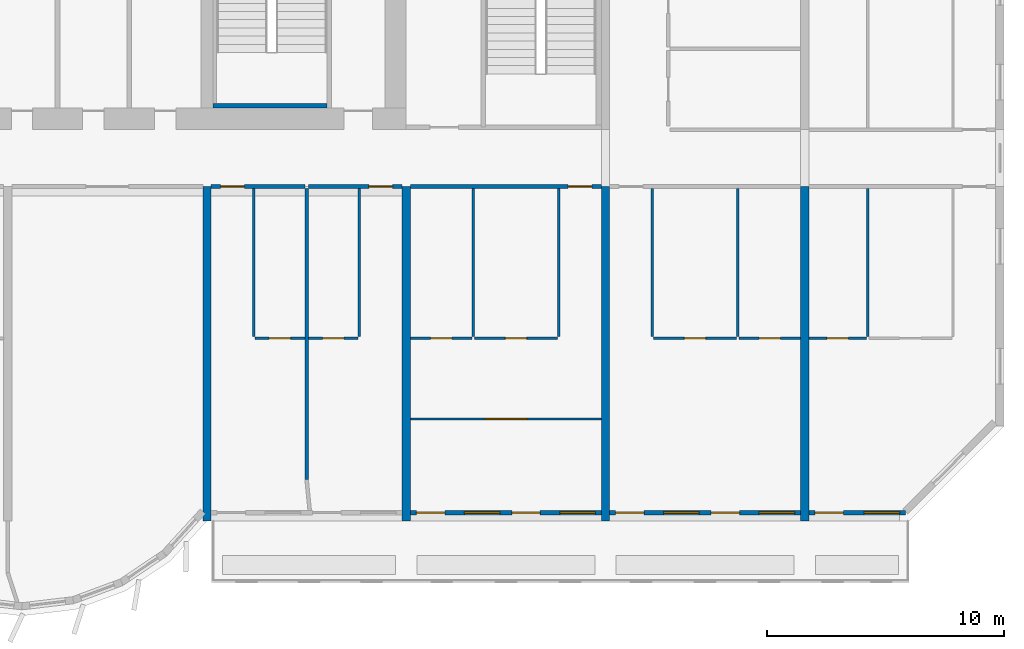
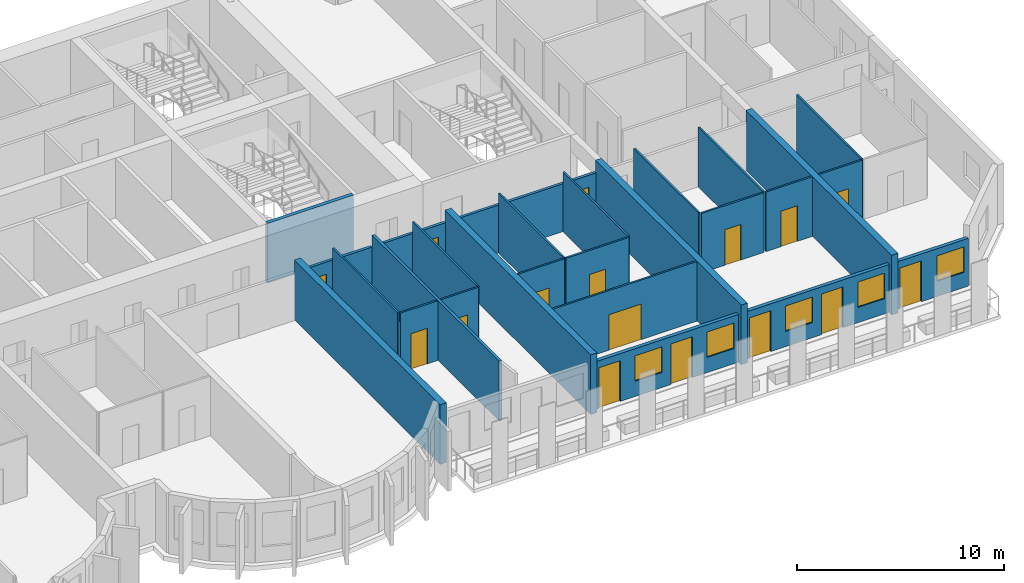
# One storey, part 8 of 14: 27 walls, 16 doors, 5 windows, 21 openings.
"""IFC4 building model written with IfcOpenShell, lengths in metres."""

from ifc_helpers import new_model, si_unit, direction, frame, frame_2d, origin, place, context, subcontext, project, spatial, rectangle, extrude, source, transform, mapped, material, layer, layer_set, type_object, element, fill, save


model = new_model("IFC4")

# Units and contexts
model_context = context("Model", 3, precision=1e-05, world=origin(), true_north=direction((0.0, 1.0)))
body_context = subcontext(model_context, "Body", "Model", "MODEL_VIEW")
ifc_project = project(units=[si_unit("LENGTHUNIT", "METRE"), si_unit("AREAUNIT", "SQUARE_METRE"), si_unit("VOLUMEUNIT", "CUBIC_METRE"), si_unit("PLANEANGLEUNIT", "RADIAN"), si_unit("MASSUNIT", "GRAM", prefix="KILO")], contexts=[model_context])

# Site, building, storey
site_placement = place(None, origin())
site = spatial("IfcSite", under=ifc_project, at=site_placement, CompositionType="ELEMENT")
building_placement = place(site_placement, origin())
building = spatial("IfcBuilding", under=site, at=building_placement, Name="Vanashikhar Sky Hotel", CompositionType="ELEMENT")
storey_placement = place(building_placement, frame((0.0, 0.0, 118.0)))
storey = spatial("IfcBuildingStorey", under=building, at=storey_placement, Name="L28", CompositionType="ELEMENT", Elevation=118.0)

# Walls
ifc_material_1 = material(Name="Concrete M70", Category="concrete")
ifc_layer_1 = layer(ifc_material_1, 0.35009765625)
ifc_layer_set_1 = layer_set([ifc_layer_1], Name="RC shear wall 350 Concrete M70")
wall_type_1 = type_object("IfcWallType", Name="RC shear wall 350 Concrete M70", PredefinedType="SHEAR", material=ifc_layer_set_1)
shared_shape_1 = source(origin(), body_context, "Body", "SweptSolid", [
    extrude(rectangle(XDim=14.10009765625, YDim=0.35009765625, at=frame_2d((7.050048828125, 0.0))), origin(), (0.0, 0.0, 1.0), 3.52001953125),
])
for number, where, z_axis, x_axis, name in (
    (1, (67.199951171875, 5.5, 0.0), (0.0, 0.0, 1.0), (0.0, 1.0, 0.0), "CW-L28-XW09-1"),
    (2, (75.60009765625, 5.5, 0.0), (0.0, 0.0, 1.0), (0.0, 1.0, 0.0), "CW-L28-XW10-1"),
    (3, (84.0, 5.5, 0.0), (0.0, 0.0, 1.0), (0.0, 1.0, 0.0), "CW-L28-XW11-1"),
    (4, (92.39990234375, 5.5, 0.0), (0.0, 0.0, 1.0), (0.0, 1.0, 0.0), "CW-L28-XW12-1"),
):
    element("IfcWall", number, at=place(storey_placement, frame(where, z_axis=z_axis, x_axis=x_axis)), inside=storey, type_object=wall_type_1, Name=name, PredefinedType="SHEAR", context=body_context, shape_type="MappedRepresentation", body=[
        mapped(shared_shape_1, transform((0.0, 0.0, 0.0), scale=1.0)),
    ])

# Wall, openings, window, door
ifc_material_2 = material(Name="Concrete M50", Category="concrete")
ifc_layer_2 = layer(ifc_material_2, 0.199951171875)
ifc_layer_set_2 = layer_set([ifc_layer_2], Name="Front window wall 200")
wall_type_2 = type_object("IfcWallType", Name="Front window wall 200", PredefinedType="SOLIDWALL", material=ifc_layer_set_2)
shared_shape_2 = source(origin(), body_context, "Body", "SweptSolid", [
    extrude(rectangle(XDim=4.080078125, YDim=0.199951171875, at=frame_2d((2.0400390625, 0.0))), origin(), (0.0, 0.0, 1.0), 2.820068359375),
])
wall_1_placement = place(storey_placement, frame((92.574951171875, 5.85009765625, 0.0), z_axis=(0.0, 0.0, 1.0), x_axis=(1.0, 0.0, 0.0)))
wall_1 = element("IfcWall", 5, at=wall_1_placement, inside=storey, type_object=wall_type_2, Name="Front window wall", PredefinedType="SOLIDWALL", context=body_context, shape_type="MappedRepresentation", body=[
    mapped(shared_shape_2, transform((0.0, 0.0, 0.0), scale=1.0)),
])
shared_shape_3 = source(origin(), body_context, "Body", "SweptSolid", [
    extrude(rectangle(XDim=1.199951171875, YDim=2.39990234375, at=frame_2d((0.60009765625, 1.199951171875))), frame((0.0, 0.10986328125, 0.0), z_axis=(0.0, -1.0, 0.0), x_axis=(1.0, 0.0, 0.0)), (0.0, 0.0, 1.0), 0.219970703125),
])
opening_1_placement = place(wall_1_placement, frame((0.25, 0.0, 0.0)))
opening_1 = element("IfcOpeningElement", 6, at=opening_1_placement, cuts=wall_1, Name="Opening BD-14", PredefinedType="OPENING", context=body_context, shape_type="MappedRepresentation", body=[
    mapped(shared_shape_3, transform((0.0, 0.0, 0.0), scale=1.0)),
])
shared_shape_4 = source(origin(), body_context, "Body", "SweptSolid", [
    extrude(rectangle(XDim=1.5, YDim=1.5, at=frame_2d((0.75, 0.75))), frame((0.0, 0.10986328125, 0.0), z_axis=(0.0, -1.0, 0.0), x_axis=(1.0, 0.0, 0.0)), (0.0, 0.0, 1.0), 0.219970703125),
])
opening_2_placement = place(wall_1_placement, frame((2.330078125, 0.0, 0.89990234375)))
opening_2 = element("IfcOpeningElement", 7, at=opening_2_placement, cuts=wall_1, Name="Opening WN-1", PredefinedType="OPENING", context=body_context, shape_type="MappedRepresentation", body=[
    mapped(shared_shape_4, transform((0.0, 0.0, 0.0), scale=1.0)),
])
ifc_material_3 = material(Name="Glass", Category="glass")
window_type = type_object("IfcWindowType", Name="Window 1500 x 1500", PartitioningType="SINGLE_PANEL", PredefinedType="WINDOW", material=ifc_material_3)
shared_shape_5 = source(origin(), body_context, "Body", "SweptSolid", [
    extrude(rectangle(XDim=1.5, YDim=1.5, at=frame_2d((0.75, 0.75))), frame((0.0, 0.030029296875, 0.0), z_axis=(0.0, -1.0, 0.0), x_axis=(1.0, 0.0, 0.0)), (0.0, 0.0, 1.0), 0.06005859375),
])
window_1_placement = place(opening_2_placement, origin())
window_1 = element("IfcWindow", 8, at=window_1_placement, inside=storey, type_object=window_type, Name="Window WN-1", OverallHeight=1.5, OverallWidth=1.5, PartitioningType="SINGLE_PANEL", PredefinedType="WINDOW", context=body_context, shape_type="MappedRepresentation", body=[
    mapped(shared_shape_5, transform((0.0, 0.0, 0.0), scale=1.0)),
])
fill(opening_2, window_1)
ifc_material_4 = material(Name="Aluminium", Category="aluminium")
door_type_1 = type_object("IfcDoorType", Name="Balcony sliding door 1200 x 2400", OperationType="NOTDEFINED", PredefinedType="DOOR", material=ifc_material_4)
shared_shape_6 = source(origin(), body_context, "Body", "SweptSolid", [
    extrude(rectangle(XDim=1.199951171875, YDim=2.39990234375, at=frame_2d((0.60009765625, 1.199951171875))), frame((0.0, 0.02490234375, 0.0), z_axis=(0.0, -1.0, 0.0), x_axis=(1.0, 0.0, 0.0)), (0.0, 0.0, 1.0), 0.050048828125),
])
door_1_placement = place(opening_1_placement, origin())
door_1 = element("IfcDoor", 9, at=door_1_placement, inside=storey, type_object=door_type_1, Name="Balcony sliding door", OperationType="SLIDING_TO_RIGHT", OverallHeight=2.39990234375, OverallWidth=1.199951171875, PredefinedType="DOOR", context=body_context, shape_type="MappedRepresentation", body=[
    mapped(shared_shape_6, transform((0.0, 0.0, 0.0), scale=1.0)),
])
fill(opening_1, door_1)

# Wall, openings, windows, doors
shared_shape_7 = source(origin(), body_context, "Body", "SweptSolid", [
    extrude(rectangle(XDim=8.050048828125, YDim=0.199951171875, at=frame_2d((4.02490234375, 0.0))), origin(), (0.0, 0.0, 1.0), 2.820068359375),
])
wall_2_placement = place(storey_placement, frame((75.77490234375, 5.85009765625, 0.0), z_axis=(0.0, 0.0, 1.0), x_axis=(1.0, 0.0, 0.0)))
wall_2 = element("IfcWall", 10, at=wall_2_placement, inside=storey, type_object=wall_type_2, Name="Front window wall", PredefinedType="SOLIDWALL", context=body_context, shape_type="MappedRepresentation", body=[
    mapped(shared_shape_7, transform((0.0, 0.0, 0.0), scale=1.0)),
])
opening_3_placement = place(wall_2_placement, frame((0.25, 0.0, 0.0)))
opening_3 = element("IfcOpeningElement", 11, at=opening_3_placement, cuts=wall_2, Name="Opening BD-10", PredefinedType="OPENING", context=body_context, shape_type="MappedRepresentation", body=[
    mapped(shared_shape_3, transform((0.0, 0.0, 0.0), scale=1.0)),
])
opening_4_placement = place(wall_2_placement, frame((2.27490234375, 0.0, 0.89990234375)))
opening_4 = element("IfcOpeningElement", 12, at=opening_4_placement, cuts=wall_2, Name="Opening WN-1", PredefinedType="OPENING", context=body_context, shape_type="MappedRepresentation", body=[
    mapped(shared_shape_4, transform((0.0, 0.0, 0.0), scale=1.0)),
])
opening_5_placement = place(wall_2_placement, frame((4.27490234375, 0.0, 0.0)))
opening_5 = element("IfcOpeningElement", 13, at=opening_5_placement, cuts=wall_2, Name="Opening BD-11", PredefinedType="OPENING", context=body_context, shape_type="MappedRepresentation", body=[
    mapped(shared_shape_3, transform((0.0, 0.0, 0.0), scale=1.0)),
])
opening_6_placement = place(wall_2_placement, frame((6.300048828125, 0.0, 0.89990234375)))
opening_6 = element("IfcOpeningElement", 14, at=opening_6_placement, cuts=wall_2, Name="Opening WN-1", PredefinedType="OPENING", context=body_context, shape_type="MappedRepresentation", body=[
    mapped(shared_shape_4, transform((0.0, 0.0, 0.0), scale=1.0)),
])
window_2_placement = place(opening_4_placement, origin())
window_2 = element("IfcWindow", 15, at=window_2_placement, inside=storey, type_object=window_type, Name="Window WN-1", OverallHeight=1.5, OverallWidth=1.5, PartitioningType="SINGLE_PANEL", PredefinedType="WINDOW", context=body_context, shape_type="MappedRepresentation", body=[
    mapped(shared_shape_5, transform((0.0, 0.0, 0.0), scale=1.0)),
])
fill(opening_4, window_2)
window_3_placement = place(opening_6_placement, origin())
window_3 = element("IfcWindow", 16, at=window_3_placement, inside=storey, type_object=window_type, Name="Window WN-1", OverallHeight=1.5, OverallWidth=1.5, PartitioningType="SINGLE_PANEL", PredefinedType="WINDOW", context=body_context, shape_type="MappedRepresentation", body=[
    mapped(shared_shape_5, transform((0.0, 0.0, 0.0), scale=1.0)),
])
fill(opening_6, window_3)
door_2_placement = place(opening_3_placement, origin())
door_2 = element("IfcDoor", 17, at=door_2_placement, inside=storey, type_object=door_type_1, Name="Balcony sliding door", OperationType="SLIDING_TO_RIGHT", OverallHeight=2.39990234375, OverallWidth=1.199951171875, PredefinedType="DOOR", context=body_context, shape_type="MappedRepresentation", body=[
    mapped(shared_shape_6, transform((0.0, 0.0, 0.0), scale=1.0)),
])
fill(opening_3, door_2)
door_3_placement = place(opening_5_placement, origin())
door_3 = element("IfcDoor", 18, at=door_3_placement, inside=storey, type_object=door_type_1, Name="Balcony sliding door", OperationType="SLIDING_TO_LEFT", OverallHeight=2.39990234375, OverallWidth=1.199951171875, PredefinedType="DOOR", context=body_context, shape_type="MappedRepresentation", body=[
    mapped(shared_shape_6, transform((0.0, 0.0, 0.0), scale=1.0)),
])
fill(opening_5, door_3)

wall_3_placement = place(storey_placement, frame((84.175048828125, 5.85009765625, 0.0), z_axis=(0.0, 0.0, 1.0), x_axis=(1.0, 0.0, 0.0)))
wall_3 = element("IfcWall", 19, at=wall_3_placement, inside=storey, type_object=wall_type_2, Name="Front window wall", PredefinedType="SOLIDWALL", context=body_context, shape_type="MappedRepresentation", body=[
    mapped(shared_shape_7, transform((0.0, 0.0, 0.0), scale=1.0)),
])
opening_7_placement = place(wall_3_placement, frame((0.25, 0.0, 0.0)))
opening_7 = element("IfcOpeningElement", 20, at=opening_7_placement, cuts=wall_3, Name="Opening BD-12", PredefinedType="OPENING", context=body_context, shape_type="MappedRepresentation", body=[
    mapped(shared_shape_3, transform((0.0, 0.0, 0.0), scale=1.0)),
])
opening_8_placement = place(wall_3_placement, frame((2.27490234375, 0.0, 0.89990234375)))
opening_8 = element("IfcOpeningElement", 21, at=opening_8_placement, cuts=wall_3, Name="Opening WN-1", PredefinedType="OPENING", context=body_context, shape_type="MappedRepresentation", body=[
    mapped(shared_shape_4, transform((0.0, 0.0, 0.0), scale=1.0)),
])
opening_9_placement = place(wall_3_placement, frame((4.27490234375, 0.0, 0.0)))
opening_9 = element("IfcOpeningElement", 22, at=opening_9_placement, cuts=wall_3, Name="Opening BD-13", PredefinedType="OPENING", context=body_context, shape_type="MappedRepresentation", body=[
    mapped(shared_shape_3, transform((0.0, 0.0, 0.0), scale=1.0)),
])
opening_10_placement = place(wall_3_placement, frame((6.300048828125, 0.0, 0.89990234375)))
opening_10 = element("IfcOpeningElement", 23, at=opening_10_placement, cuts=wall_3, Name="Opening WN-1", PredefinedType="OPENING", context=body_context, shape_type="MappedRepresentation", body=[
    mapped(shared_shape_4, transform((0.0, 0.0, 0.0), scale=1.0)),
])
window_4_placement = place(opening_8_placement, origin())
window_4 = element("IfcWindow", 24, at=window_4_placement, inside=storey, type_object=window_type, Name="Window WN-1", OverallHeight=1.5, OverallWidth=1.5, PartitioningType="SINGLE_PANEL", PredefinedType="WINDOW", context=body_context, shape_type="MappedRepresentation", body=[
    mapped(shared_shape_5, transform((0.0, 0.0, 0.0), scale=1.0)),
])
fill(opening_8, window_4)
window_5_placement = place(opening_10_placement, origin())
window_5 = element("IfcWindow", 25, at=window_5_placement, inside=storey, type_object=window_type, Name="Window WN-1", OverallHeight=1.5, OverallWidth=1.5, PartitioningType="SINGLE_PANEL", PredefinedType="WINDOW", context=body_context, shape_type="MappedRepresentation", body=[
    mapped(shared_shape_5, transform((0.0, 0.0, 0.0), scale=1.0)),
])
fill(opening_10, window_5)
door_4_placement = place(opening_7_placement, origin())
door_4 = element("IfcDoor", 26, at=door_4_placement, inside=storey, type_object=door_type_1, Name="Balcony sliding door", OperationType="SLIDING_TO_RIGHT", OverallHeight=2.39990234375, OverallWidth=1.199951171875, PredefinedType="DOOR", context=body_context, shape_type="MappedRepresentation", body=[
    mapped(shared_shape_6, transform((0.0, 0.0, 0.0), scale=1.0)),
])
fill(opening_7, door_4)
door_5_placement = place(opening_9_placement, origin())
door_5 = element("IfcDoor", 27, at=door_5_placement, inside=storey, type_object=door_type_1, Name="Balcony sliding door", OperationType="SLIDING_TO_LEFT", OverallHeight=2.39990234375, OverallWidth=1.199951171875, PredefinedType="DOOR", context=body_context, shape_type="MappedRepresentation", body=[
    mapped(shared_shape_6, transform((0.0, 0.0, 0.0), scale=1.0)),
])
fill(opening_9, door_5)

# Wall
ifc_layer_3 = layer(ifc_material_2, 0.199951171875)
ifc_layer_set_3 = layer_set([ifc_layer_3], Name="Stair infill wall 200")
wall_type_3 = type_object("IfcWallType", Name="Stair infill wall 200", PredefinedType="SOLIDWALL", material=ifc_layer_set_3)
shared_shape_8 = source(origin(), body_context, "Body", "SweptSolid", [
    extrude(rectangle(XDim=4.800048828125, YDim=0.199951171875, at=frame_2d((2.39990234375, 0.0))), origin(), (0.0, 0.0, 1.0), 3.52001953125),
])
wall_4_placement = place(storey_placement, frame((67.449951171875, 23.0, 0.0), z_axis=(0.0, 0.0, 1.0), x_axis=(1.0, 0.0, 0.0)))
element("IfcWall", 28, at=wall_4_placement, inside=storey, type_object=wall_type_3, Name="Stair infill wall 200", PredefinedType="SOLIDWALL", context=body_context, shape_type="MappedRepresentation", body=[
    mapped(shared_shape_8, transform((0.0, 0.0, 0.0), scale=1.0)),
])

# Wall, opening, door
ifc_material_5 = material(Name="Gypsum plasterboard partition")
ifc_layer_4 = layer(ifc_material_5, 0.10009765625)
ifc_layer_set_4 = layer_set([ifc_layer_4], Name="Wet room partition 100")
wall_type_4 = type_object("IfcWallType", Name="Wet room partition 100", PredefinedType="PARTITIONING", material=ifc_layer_set_4)
shared_shape_9 = source(origin(), body_context, "Body", "SweptSolid", [
    extrude(rectangle(XDim=3.5, YDim=0.10009765625, at=frame_2d((1.75, 0.0))), origin(), (0.0, 0.0, 1.0), 3.52001953125),
])
wall_5_placement = place(storey_placement, frame((78.47509765625, 13.199951171875, 0.0), z_axis=(0.0, 0.0, 1.0), x_axis=(1.0, 0.0, 0.0)))
wall_5 = element("IfcWall", 29, at=wall_5_placement, inside=storey, type_object=wall_type_4, Name="W-L28-PW043", PredefinedType="PARTITIONING", context=body_context, shape_type="MappedRepresentation", body=[
    mapped(shared_shape_9, transform((0.0, 0.0, 0.0), scale=1.0)),
])
shared_shape_10 = source(origin(), body_context, "Body", "SweptSolid", [
    extrude(rectangle(XDim=0.89990234375, YDim=2.10009765625, at=frame_2d((0.449951171875, 1.050048828125))), frame((0.0, 0.06005859375, 0.0), z_axis=(0.0, -1.0, 0.0), x_axis=(1.0, 0.0, 0.0)), (0.0, 0.0, 1.0), 0.1201171875),
])
opening_11_placement = place(wall_5_placement, frame((1.300048828125, 0.0, 0.0)))
opening_11 = element("IfcOpeningElement", 30, at=opening_11_placement, cuts=wall_5, Name="Opening D-02", PredefinedType="OPENING", context=body_context, shape_type="MappedRepresentation", body=[
    mapped(shared_shape_10, transform((0.0, 0.0, 0.0), scale=1.0)),
])
ifc_material_6 = material(Name="Timber door", Category="wood")
door_type_2 = type_object("IfcDoorType", Name="Internal door 900", OperationType="NOTDEFINED", PredefinedType="DOOR", material=ifc_material_6)
shared_shape_11 = source(origin(), body_context, "Body", "SweptSolid", [
    extrude(rectangle(XDim=0.89990234375, YDim=2.10009765625, at=frame_2d((0.449951171875, 1.050048828125))), frame((0.0, 0.02490234375, 0.0), z_axis=(0.0, -1.0, 0.0), x_axis=(1.0, 0.0, 0.0)), (0.0, 0.0, 1.0), 0.050048828125),
])
door_6_placement = place(opening_11_placement, origin())
door_6 = element("IfcDoor", 31, at=door_6_placement, inside=storey, type_object=door_type_2, Name="D-L28-026", OperationType="SINGLE_SWING_RIGHT", OverallHeight=2.10009765625, OverallWidth=0.89990234375, PredefinedType="DOOR", context=body_context, shape_type="MappedRepresentation", body=[
    mapped(shared_shape_11, transform((0.0, 0.0, 0.0), scale=1.0)),
])
fill(opening_11, door_6)

wall_6_placement = place(storey_placement, frame((86.02490234375, 13.199951171875, 0.0), z_axis=(0.0, 0.0, 1.0), x_axis=(1.0, 0.0, 0.0)))
wall_6 = element("IfcWall", 32, at=wall_6_placement, inside=storey, type_object=wall_type_4, Name="W-L28-PW049", PredefinedType="PARTITIONING", context=body_context, shape_type="MappedRepresentation", body=[
    mapped(shared_shape_9, transform((0.0, 0.0, 0.0), scale=1.0)),
])
opening_12_placement = place(wall_6_placement, frame((1.300048828125, 0.0, 0.0)))
opening_12 = element("IfcOpeningElement", 33, at=opening_12_placement, cuts=wall_6, Name="Opening D-02", PredefinedType="OPENING", context=body_context, shape_type="MappedRepresentation", body=[
    mapped(shared_shape_10, transform((0.0, 0.0, 0.0), scale=1.0)),
])
door_7_placement = place(opening_12_placement, origin())
door_7 = element("IfcDoor", 34, at=door_7_placement, inside=storey, type_object=door_type_2, Name="D-L28-030", OperationType="SINGLE_SWING_LEFT", OverallHeight=2.10009765625, OverallWidth=0.89990234375, PredefinedType="DOOR", context=body_context, shape_type="MappedRepresentation", body=[
    mapped(shared_shape_11, transform((0.0, 0.0, 0.0), scale=1.0)),
])
fill(opening_12, door_7)

# Walls
shared_shape_12 = source(origin(), body_context, "Body", "SweptSolid", [
    extrude(rectangle(XDim=6.25, YDim=0.10009765625, at=frame_2d((3.125, 0.0))), origin(), (0.0, 0.0, 1.0), 3.52001953125),
])
for number, where, z_axis, x_axis, name in (
    (35, (69.175048828125, 13.27490234375, 0.0), (0.0, 0.0, 1.0), (0.0, 1.0, 0.0), "W-L28-PW034"),
    (36, (73.625, 13.27490234375, 0.0), (0.0, 0.0, 1.0), (0.0, 1.0, 0.0), "W-L28-PW037"),
    (37, (82.02490234375, 13.27490234375, 0.0), (0.0, 0.0, 1.0), (0.0, 1.0, 0.0), "W-L28-PW041"),
    (38, (78.425048828125, 13.27490234375, 0.0), (0.0, 0.0, 1.0), (0.0, 1.0, 0.0), "W-L28-PW042"),
    (39, (85.97509765625, 13.27490234375, 0.0), (0.0, 0.0, 1.0), (0.0, 1.0, 0.0), "W-L28-PW047"),
    (40, (89.574951171875, 13.27490234375, 0.0), (0.0, 0.0, 1.0), (0.0, 1.0, 0.0), "W-L28-PW048"),
    (41, (95.050048828125, 13.27490234375, 0.0), (0.0, 0.0, 1.0), (0.0, 1.0, 0.0), "W-L28-PW053"),
):
    element("IfcWall", number, at=place(storey_placement, frame(where, z_axis=z_axis, x_axis=x_axis)), inside=storey, type_object=wall_type_4, Name=name, PredefinedType="PARTITIONING", context=body_context, shape_type="MappedRepresentation", body=[
        mapped(shared_shape_12, transform((0.0, 0.0, 0.0), scale=1.0)),
    ])

# Wall, opening, door
shared_shape_13 = source(origin(), body_context, "Body", "SweptSolid", [
    extrude(rectangle(XDim=2.60009765625, YDim=0.10009765625, at=frame_2d((1.300048828125, 0.0))), origin(), (0.0, 0.0, 1.0), 3.52001953125),
])
wall_7_placement = place(storey_placement, frame((75.77490234375, 13.199951171875, 0.0), z_axis=(0.0, 0.0, 1.0), x_axis=(1.0, 0.0, 0.0)))
wall_7 = element("IfcWall", 42, at=wall_7_placement, inside=storey, type_object=wall_type_4, Name="W-L28-PW044", PredefinedType="PARTITIONING", context=body_context, shape_type="MappedRepresentation", body=[
    mapped(shared_shape_13, transform((0.0, 0.0, 0.0), scale=1.0)),
])
opening_13_placement = place(wall_7_placement, frame((0.85009765625, 0.0, 0.0)))
opening_13 = element("IfcOpeningElement", 43, at=opening_13_placement, cuts=wall_7, Name="Opening D-02", PredefinedType="OPENING", context=body_context, shape_type="MappedRepresentation", body=[
    mapped(shared_shape_10, transform((0.0, 0.0, 0.0), scale=1.0)),
])
door_8_placement = place(opening_13_placement, origin())
door_8 = element("IfcDoor", 44, at=door_8_placement, inside=storey, type_object=door_type_2, Name="D-L28-027", OperationType="SINGLE_SWING_RIGHT", OverallHeight=2.10009765625, OverallWidth=0.89990234375, PredefinedType="DOOR", context=body_context, shape_type="MappedRepresentation", body=[
    mapped(shared_shape_11, transform((0.0, 0.0, 0.0), scale=1.0)),
])
fill(opening_13, door_8)

wall_8_placement = place(storey_placement, frame((89.625, 13.199951171875, 0.0), z_axis=(0.0, 0.0, 1.0), x_axis=(1.0, 0.0, 0.0)))
wall_8 = element("IfcWall", 45, at=wall_8_placement, inside=storey, type_object=wall_type_4, Name="W-L28-PW050", PredefinedType="PARTITIONING", context=body_context, shape_type="MappedRepresentation", body=[
    mapped(shared_shape_13, transform((0.0, 0.0, 0.0), scale=1.0)),
])
opening_14_placement = place(wall_8_placement, frame((0.85009765625, 0.0, 0.0)))
opening_14 = element("IfcOpeningElement", 46, at=opening_14_placement, cuts=wall_8, Name="Opening D-02", PredefinedType="OPENING", context=body_context, shape_type="MappedRepresentation", body=[
    mapped(shared_shape_10, transform((0.0, 0.0, 0.0), scale=1.0)),
])
door_9_placement = place(opening_14_placement, origin())
door_9 = element("IfcDoor", 47, at=door_9_placement, inside=storey, type_object=door_type_2, Name="D-L28-031", OperationType="SINGLE_SWING_LEFT", OverallHeight=2.10009765625, OverallWidth=0.89990234375, PredefinedType="DOOR", context=body_context, shape_type="MappedRepresentation", body=[
    mapped(shared_shape_11, transform((0.0, 0.0, 0.0), scale=1.0)),
])
fill(opening_14, door_9)

ifc_layer_5 = layer(ifc_material_5, 0.14990234375)
ifc_layer_set_5 = layer_set([ifc_layer_5], Name="Corridor and demising partition 150")
wall_type_5 = type_object("IfcWallType", Name="Corridor and demising partition 150", PredefinedType="PARTITIONING", material=ifc_layer_set_5)
shared_shape_14 = source(origin(), body_context, "Body", "SweptSolid", [
    extrude(rectangle(XDim=8.050048828125, YDim=0.14990234375, at=frame_2d((4.02490234375, 0.0))), origin(), (0.0, 0.0, 1.0), 2.820068359375),
])
wall_9_placement = place(storey_placement, frame((75.77490234375, 19.60009765625, 0.0), z_axis=(0.0, 0.0, 1.0), x_axis=(1.0, 0.0, 0.0)))
wall_9 = element("IfcWall", 48, at=wall_9_placement, inside=storey, type_object=wall_type_5, Name="W-L28-PW046", PredefinedType="PARTITIONING", context=body_context, shape_type="MappedRepresentation", body=[
    mapped(shared_shape_14, transform((0.0, 0.0, 0.0), scale=1.0)),
])
shared_shape_15 = source(origin(), body_context, "Body", "SweptSolid", [
    extrude(rectangle(XDim=1.0, YDim=2.10009765625, at=frame_2d((0.5, 1.050048828125))), frame((0.0, 0.0849609375, 0.0), z_axis=(0.0, -1.0, 0.0), x_axis=(1.0, 0.0, 0.0)), (0.0, 0.0, 1.0), 0.169921875),
])
opening_15_placement = place(wall_9_placement, frame((6.64990234375, 0.0, 0.0)))
opening_15 = element("IfcOpeningElement", 49, at=opening_15_placement, cuts=wall_9, Name="Opening D-01", PredefinedType="OPENING", context=body_context, shape_type="MappedRepresentation", body=[
    mapped(shared_shape_15, transform((0.0, 0.0, 0.0), scale=1.0)),
])
ifc_material_7 = material(Name="Timber fire door", Category="wood")
door_type_3 = type_object("IfcDoorType", Name="Guest entry door 1000 FD30S", OperationType="NOTDEFINED", PredefinedType="DOOR", material=ifc_material_7)
shared_shape_16 = source(origin(), body_context, "Body", "SweptSolid", [
    extrude(rectangle(XDim=1.0, YDim=2.10009765625, at=frame_2d((0.5, 1.050048828125))), frame((0.0, 0.02490234375, 0.0), z_axis=(0.0, -1.0, 0.0), x_axis=(1.0, 0.0, 0.0)), (0.0, 0.0, 1.0), 0.050048828125),
])
door_10_placement = place(opening_15_placement, origin())
door_10 = element("IfcDoor", 50, at=door_10_placement, inside=storey, type_object=door_type_3, Name="D-L28-029", OperationType="SINGLE_SWING_RIGHT", OverallHeight=2.10009765625, OverallWidth=1.0, PredefinedType="DOOR", context=body_context, shape_type="MappedRepresentation", body=[
    mapped(shared_shape_16, transform((0.0, 0.0, 0.0), scale=1.0)),
])
fill(opening_15, door_10)

shared_shape_17 = source(origin(), body_context, "Body", "SweptSolid", [
    extrude(rectangle(XDim=3.949951171875, YDim=0.14990234375, at=frame_2d((1.97509765625, 0.0))), origin(), (0.0, 0.0, 1.0), 2.820068359375),
])
wall_10_placement = place(storey_placement, frame((67.375, 19.60009765625, 0.0), z_axis=(0.0, 0.0, 1.0), x_axis=(1.0, 0.0, 0.0)))
wall_10 = element("IfcWall", 51, at=wall_10_placement, inside=storey, type_object=wall_type_5, Name="W-L28-PW036", PredefinedType="PARTITIONING", context=body_context, shape_type="MappedRepresentation", body=[
    mapped(shared_shape_17, transform((0.0, 0.0, 0.0), scale=1.0)),
])
opening_16_placement = place(wall_10_placement, frame((0.39990234375, 0.0, 0.0)))
opening_16 = element("IfcOpeningElement", 52, at=opening_16_placement, cuts=wall_10, Name="Opening D-01", PredefinedType="OPENING", context=body_context, shape_type="MappedRepresentation", body=[
    mapped(shared_shape_15, transform((0.0, 0.0, 0.0), scale=1.0)),
])
door_11_placement = place(opening_16_placement, origin())
door_11 = element("IfcDoor", 53, at=door_11_placement, inside=storey, type_object=door_type_3, Name="D-L28-023", OperationType="SINGLE_SWING_LEFT", OverallHeight=2.10009765625, OverallWidth=1.0, PredefinedType="DOOR", context=body_context, shape_type="MappedRepresentation", body=[
    mapped(shared_shape_16, transform((0.0, 0.0, 0.0), scale=1.0)),
])
fill(opening_16, door_11)

wall_11_placement = place(storey_placement, frame((71.47509765625, 19.60009765625, 0.0), z_axis=(0.0, 0.0, 1.0), x_axis=(1.0, 0.0, 0.0)))
wall_11 = element("IfcWall", 54, at=wall_11_placement, inside=storey, type_object=wall_type_5, Name="W-L28-PW039", PredefinedType="PARTITIONING", context=body_context, shape_type="MappedRepresentation", body=[
    mapped(shared_shape_17, transform((0.0, 0.0, 0.0), scale=1.0)),
])
opening_17_placement = place(wall_11_placement, frame((2.550048828125, 0.0, 0.0)))
opening_17 = element("IfcOpeningElement", 55, at=opening_17_placement, cuts=wall_11, Name="Opening D-01", PredefinedType="OPENING", context=body_context, shape_type="MappedRepresentation", body=[
    mapped(shared_shape_15, transform((0.0, 0.0, 0.0), scale=1.0)),
])
door_12_placement = place(opening_17_placement, origin())
door_12 = element("IfcDoor", 56, at=door_12_placement, inside=storey, type_object=door_type_3, Name="D-L28-025", OperationType="SINGLE_SWING_RIGHT", OverallHeight=2.10009765625, OverallWidth=1.0, PredefinedType="DOOR", context=body_context, shape_type="MappedRepresentation", body=[
    mapped(shared_shape_16, transform((0.0, 0.0, 0.0), scale=1.0)),
])
fill(opening_17, door_12)

shared_shape_18 = source(origin(), body_context, "Body", "SweptSolid", [
    extrude(rectangle(XDim=2.099853515625, YDim=0.10009765625, at=frame_2d((1.0498046875, 0.0))), origin(), (0.0, 0.0, 1.0), 3.52001953125),
])
wall_12_placement = place(storey_placement, frame((69.22509765625, 13.199951171875, 0.0), z_axis=(0.0, 0.0, 1.0), x_axis=(1.0, 0.0, 0.0)))
wall_12 = element("IfcWall", 57, at=wall_12_placement, inside=storey, type_object=wall_type_4, Name="W-L28-PW035", PredefinedType="PARTITIONING", context=body_context, shape_type="MappedRepresentation", body=[
    mapped(shared_shape_18, transform((0.0, 0.0, 0.0), scale=1.0)),
])
opening_18_placement = place(wall_12_placement, frame((0.60009765625, 0.0, 0.0)))
opening_18 = element("IfcOpeningElement", 58, at=opening_18_placement, cuts=wall_12, Name="Opening D-02", PredefinedType="OPENING", context=body_context, shape_type="MappedRepresentation", body=[
    mapped(shared_shape_10, transform((0.0, 0.0, 0.0), scale=1.0)),
])
door_13_placement = place(opening_18_placement, origin())
door_13 = element("IfcDoor", 59, at=door_13_placement, inside=storey, type_object=door_type_2, Name="D-L28-022", OperationType="SINGLE_SWING_LEFT", OverallHeight=2.10009765625, OverallWidth=0.89990234375, PredefinedType="DOOR", context=body_context, shape_type="MappedRepresentation", body=[
    mapped(shared_shape_11, transform((0.0, 0.0, 0.0), scale=1.0)),
])
fill(opening_18, door_13)

wall_13_placement = place(storey_placement, frame((71.47509765625, 13.199951171875, 0.0), z_axis=(0.0, 0.0, 1.0), x_axis=(1.0, 0.0, 0.0)))
wall_13 = element("IfcWall", 60, at=wall_13_placement, inside=storey, type_object=wall_type_4, Name="W-L28-PW038", PredefinedType="PARTITIONING", context=body_context, shape_type="MappedRepresentation", body=[
    mapped(shared_shape_18, transform((0.0, 0.0, 0.0), scale=1.0)),
])
opening_19_placement = place(wall_13_placement, frame((0.60009765625, 0.0, 0.0)))
opening_19 = element("IfcOpeningElement", 61, at=opening_19_placement, cuts=wall_13, Name="Opening D-02", PredefinedType="OPENING", context=body_context, shape_type="MappedRepresentation", body=[
    mapped(shared_shape_10, transform((0.0, 0.0, 0.0), scale=1.0)),
])
door_14_placement = place(opening_19_placement, origin())
door_14 = element("IfcDoor", 62, at=door_14_placement, inside=storey, type_object=door_type_2, Name="D-L28-024", OperationType="SINGLE_SWING_RIGHT", OverallHeight=2.10009765625, OverallWidth=0.89990234375, PredefinedType="DOOR", context=body_context, shape_type="MappedRepresentation", body=[
    mapped(shared_shape_11, transform((0.0, 0.0, 0.0), scale=1.0)),
])
fill(opening_19, door_14)

# Wall
shared_shape_19 = source(origin(), body_context, "Body", "SweptSolid", [
    extrude(rectangle(XDim=12.27490234375, YDim=0.14990234375, at=frame_2d((6.137451171875, 0.0))), origin(), (0.0, 0.0, 1.0), 3.52001953125),
])
wall_14_placement = place(storey_placement, frame((71.39990234375, 7.25, 0.0), z_axis=(0.0, 0.0, 1.0), x_axis=(0.0, 1.0, 0.0)))
element("IfcWall", 63, at=wall_14_placement, inside=storey, type_object=wall_type_5, Name="W-L28-PW040", PredefinedType="PARTITIONING", context=body_context, shape_type="MappedRepresentation", body=[
    mapped(shared_shape_19, transform((0.0, 0.0, 0.0), scale=1.0)),
])

# Wall, opening, door
shared_shape_20 = source(origin(), body_context, "Body", "SweptSolid", [
    extrude(rectangle(XDim=8.050048828125, YDim=0.10009765625, at=frame_2d((4.02490234375, 0.0))), origin(), (0.0, 0.0, 1.0), 3.52001953125),
])
wall_15_placement = place(storey_placement, frame((75.77490234375, 9.802001953125, 0.0), z_axis=(0.0, 0.0, 1.0), x_axis=(1.0, 0.0, 0.0)))
wall_15 = element("IfcWall", 64, at=wall_15_placement, inside=storey, type_object=wall_type_4, Name="W-L28-PW045", PredefinedType="PARTITIONING", context=body_context, shape_type="MappedRepresentation", body=[
    mapped(shared_shape_20, transform((0.0, 0.0, 0.0), scale=1.0)),
])
shared_shape_21 = source(origin(), body_context, "Body", "SweptSolid", [
    extrude(rectangle(XDim=1.800048828125, YDim=2.10009765625, at=frame_2d((0.89990234375, 1.050048828125))), frame((0.0, 0.06005859375, 0.0), z_axis=(0.0, -1.0, 0.0), x_axis=(1.0, 0.0, 0.0)), (0.0, 0.0, 1.0), 0.1201171875),
])
opening_20_placement = place(wall_15_placement, frame((3.125, 0.0, 0.0)))
opening_20 = element("IfcOpeningElement", 65, at=opening_20_placement, cuts=wall_15, Name="Opening D-08", PredefinedType="OPENING", context=body_context, shape_type="MappedRepresentation", body=[
    mapped(shared_shape_21, transform((0.0, 0.0, 0.0), scale=1.0)),
])
door_type_4 = type_object("IfcDoorType", Name="Double leaf door 1800", OperationType="NOTDEFINED", PredefinedType="DOOR", material=ifc_material_6)
shared_shape_22 = source(origin(), body_context, "Body", "SweptSolid", [
    extrude(rectangle(XDim=1.800048828125, YDim=2.10009765625, at=frame_2d((0.89990234375, 1.050048828125))), frame((0.0, 0.02490234375, 0.0), z_axis=(0.0, -1.0, 0.0), x_axis=(1.0, 0.0, 0.0)), (0.0, 0.0, 1.0), 0.050048828125),
])
door_15_placement = place(opening_20_placement, origin())
door_15 = element("IfcDoor", 66, at=door_15_placement, inside=storey, type_object=door_type_4, Name="D-L28-028", OperationType="DOUBLE_DOOR_SINGLE_SWING", OverallHeight=2.10009765625, OverallWidth=1.800048828125, PredefinedType="DOOR", context=body_context, shape_type="MappedRepresentation", body=[
    mapped(shared_shape_22, transform((0.0, 0.0, 0.0), scale=1.0)),
])
fill(opening_20, door_15)

shared_shape_23 = source(origin(), body_context, "Body", "SweptSolid", [
    extrude(rectangle(XDim=2.425048828125, YDim=0.10009765625, at=frame_2d((1.21240234375, 0.0))), origin(), (0.0, 0.0, 1.0), 3.52001953125),
])
wall_16_placement = place(storey_placement, frame((92.574951171875, 13.199951171875, 0.0), z_axis=(0.0, 0.0, 1.0), x_axis=(1.0, 0.0, 0.0)))
wall_16 = element("IfcWall", 67, at=wall_16_placement, inside=storey, type_object=wall_type_4, Name="W-L28-PW055", PredefinedType="PARTITIONING", context=body_context, shape_type="MappedRepresentation", body=[
    mapped(shared_shape_23, transform((0.0, 0.0, 0.0), scale=1.0)),
])
opening_21_placement = place(wall_16_placement, frame((0.762939453125, 0.0, 0.0)))
opening_21 = element("IfcOpeningElement", 68, at=opening_21_placement, cuts=wall_16, Name="Opening D-02", PredefinedType="OPENING", context=body_context, shape_type="MappedRepresentation", body=[
    mapped(shared_shape_10, transform((0.0, 0.0, 0.0), scale=1.0)),
])
door_16_placement = place(opening_21_placement, origin())
door_16 = element("IfcDoor", 69, at=door_16_placement, inside=storey, type_object=door_type_2, Name="D-L28-034", OperationType="SINGLE_SWING_RIGHT", OverallHeight=2.10009765625, OverallWidth=0.89990234375, PredefinedType="DOOR", context=body_context, shape_type="MappedRepresentation", body=[
    mapped(shared_shape_11, transform((0.0, 0.0, 0.0), scale=1.0)),
])
fill(opening_21, door_16)

save(model, "model.ifc")
